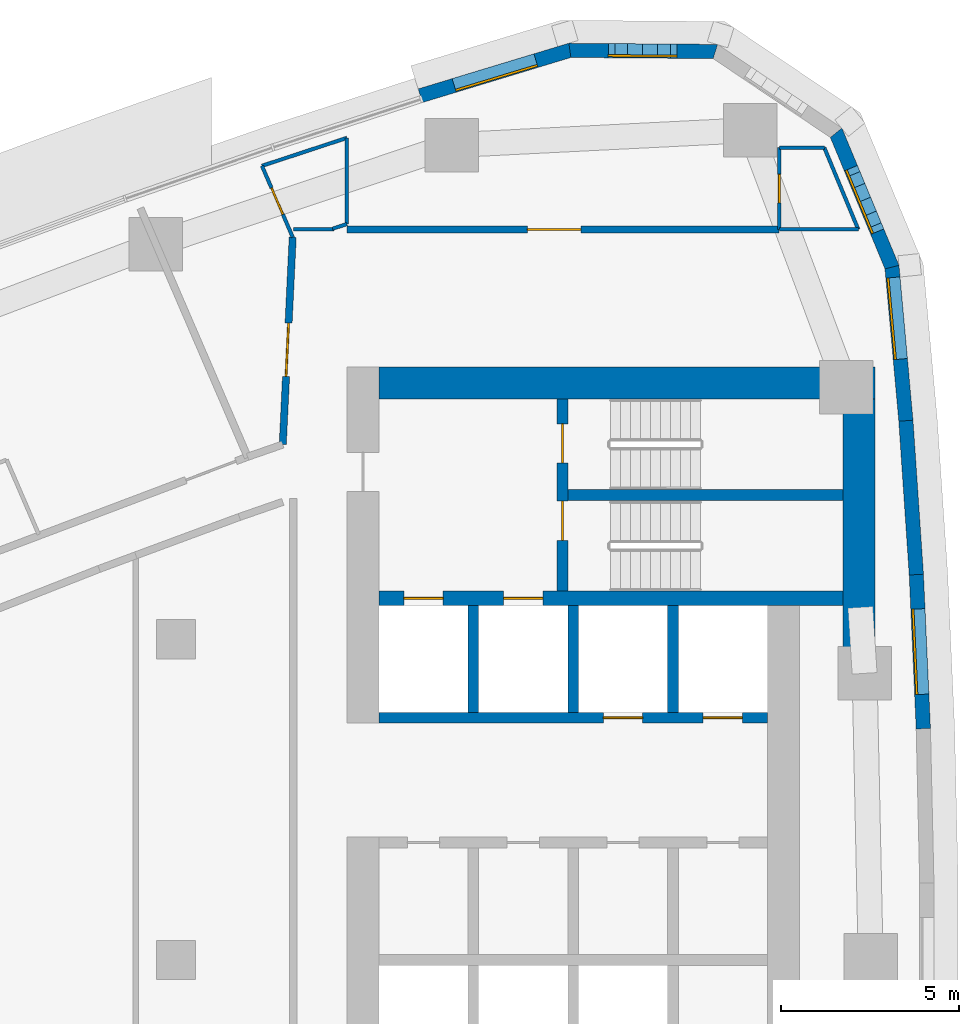
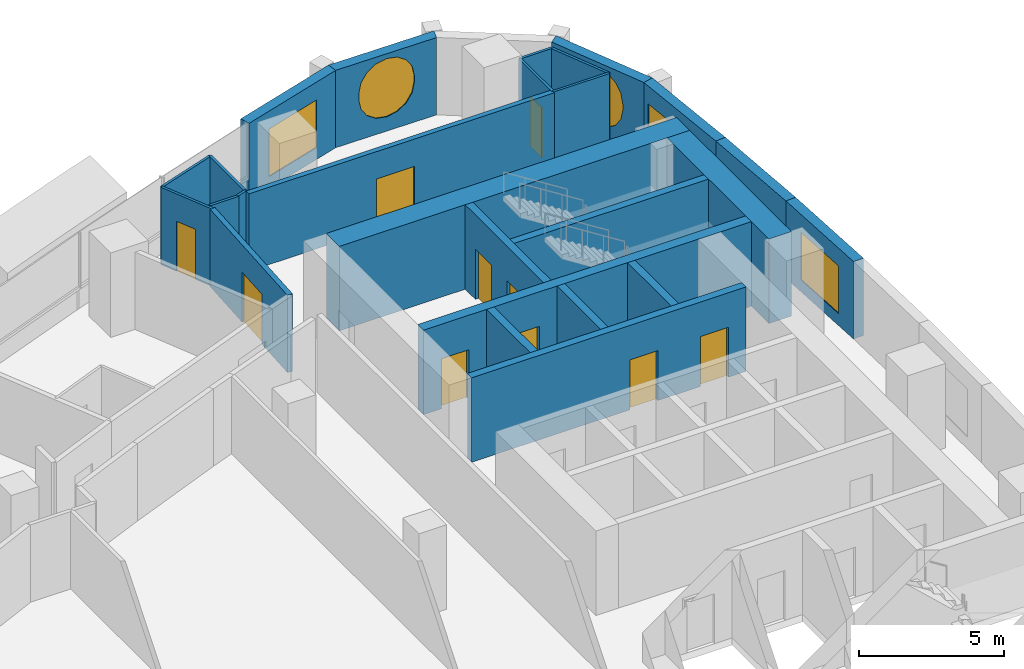
# One storey, part 12 of 17: 26 walls, 10 doors, 5 windows, 15 openings.
"""IFC4 building model written with IfcOpenShell, lengths in metres."""

from ifc_helpers import new_model, si_unit, direction, frame, frame_2d, origin, place, context, subcontext, project, spatial, polyline, rectangle, outline, extrude, material, layer, layer_set, type_object, element, fill, save


model = new_model("IFC4")

# Units and contexts
model_context = context("Model", 3, precision=1e-05, world=origin(), true_north=direction((0.0, 1.0)))
body_context = subcontext(model_context, "Body", "Model", "MODEL_VIEW")
ifc_project = project(units=[si_unit("LENGTHUNIT", "METRE"), si_unit("AREAUNIT", "SQUARE_METRE"), si_unit("VOLUMEUNIT", "CUBIC_METRE"), si_unit("PLANEANGLEUNIT", "RADIAN"), si_unit("MASSUNIT", "GRAM", prefix="KILO")], contexts=[model_context])

# Site, building, storey
site_placement = place(None, origin())
site = spatial("IfcSite", under=ifc_project, at=site_placement, CompositionType="ELEMENT")
building_placement = place(site_placement, origin())
building = spatial("IfcBuilding", under=site, at=building_placement, Name="Ostrand Prow Hotel Tower", CompositionType="ELEMENT")
storey_placement = place(building_placement, frame((0.0, 0.0, 155.050048828125)))
storey = spatial("IfcBuildingStorey", under=building, at=storey_placement, Name="L38", CompositionType="ELEMENT", Elevation=155.050048828125)

# Wall, openings, doors
ifc_material_1 = material(Name="Concrete C70/85", Category="concrete")
ifc_layer_1 = layer(ifc_material_1, 0.300048828125)
ifc_layer_set_1 = layer_set([ifc_layer_1], Name="Concrete C70/85")
wall_type_1 = type_object("IfcWallType", Name="Core wall 300 C70/85", PredefinedType="SHEAR", material=ifc_layer_set_1)
wall_1_placement = place(storey_placement, frame((50.699951171875, 6.800048828125, 0.0), z_axis=(0.0, 0.0, 1.0), x_axis=(1.0, 0.0, 0.0)))
wall_1 = element("IfcWall", 1, at=wall_1_placement, inside=storey, type_object=wall_type_1, Name="Core wall PW-L2-N", PredefinedType="SHEAR", context=body_context, shape_type="SweptSolid", body=[
    extrude(rectangle(XDim=10.900146484375, YDim=0.300048828125, at=frame_2d((5.4501953125, 0.0))), origin(), (0.0, 0.0, 1.0), 3.550048828125),
])
opening_1_placement = place(wall_1_placement, frame((6.300048828125, 0.0, 0.0)))
opening_1 = element("IfcOpeningElement", 2, at=opening_1_placement, cuts=wall_1, Name="Opening LD", PredefinedType="OPENING", context=body_context, shape_type="SweptSolid", body=[
    extrude(rectangle(XDim=1.10009765625, YDim=2.10009765625, at=frame_2d((0.550048828125, 1.050048828125))), frame((0.0, 0.159912109375, 0.0), z_axis=(0.0, -1.0, 0.0), x_axis=(1.0, 0.0, 0.0)), (0.0, 0.0, 1.0), 0.320068359375),
])
opening_2_placement = place(wall_1_placement, frame((9.10009765625, 0.0, 0.0)))
opening_2 = element("IfcOpeningElement", 3, at=opening_2_placement, cuts=wall_1, Name="Opening LD", PredefinedType="OPENING", context=body_context, shape_type="SweptSolid", body=[
    extrude(rectangle(XDim=1.10009765625, YDim=2.10009765625, at=frame_2d((0.550048828125, 1.050048828125))), frame((0.0, 0.159912109375, 0.0), z_axis=(0.0, -1.0, 0.0), x_axis=(1.0, 0.0, 0.0)), (0.0, 0.0, 1.0), 0.320068359375),
])
ifc_material_2 = material(Name="Stainless steel door", Category="steel")
door_type_1 = type_object("IfcDoorType", Name="Lift landing door 1100", OperationType="DOUBLE_DOOR_SLIDING", PredefinedType="DOOR", material=ifc_material_2)
door_1_placement = place(opening_1_placement, origin())
door_1 = element("IfcDoor", 4, at=door_1_placement, inside=storey, type_object=door_type_1, Name="LIFT LANDING DOOR", OperationType="DOUBLE_DOOR_SLIDING", OverallHeight=2.10009765625, OverallWidth=1.10009765625, PredefinedType="DOOR", context=body_context, shape_type="SweptSolid", body=[
    extrude(rectangle(XDim=1.10009765625, YDim=2.10009765625, at=frame_2d((0.550048828125, 1.050048828125))), frame((0.0, 0.02490234375, 0.0), z_axis=(0.0, -1.0, 0.0), x_axis=(1.0, 0.0, 0.0)), (0.0, 0.0, 1.0), 0.050048828125),
])
fill(opening_1, door_1)
door_2_placement = place(opening_2_placement, origin())
door_2 = element("IfcDoor", 5, at=door_2_placement, inside=storey, type_object=door_type_1, Name="LIFT LANDING DOOR", OperationType="DOUBLE_DOOR_SLIDING", OverallHeight=2.10009765625, OverallWidth=1.10009765625, PredefinedType="DOOR", context=body_context, shape_type="SweptSolid", body=[
    extrude(rectangle(XDim=1.10009765625, YDim=2.10009765625, at=frame_2d((0.550048828125, 1.050048828125))), frame((0.0, 0.02490234375, 0.0), z_axis=(0.0, -1.0, 0.0), x_axis=(1.0, 0.0, 0.0)), (0.0, 0.0, 1.0), 0.050048828125),
])
fill(opening_2, door_2)

# Walls
for number, where, z_axis, x_axis, name in (
    (6, (53.35009765625, 6.949951171875, 0.0), (0.0, 0.0, 1.0), (0.0, 1.0, 0.0), "Core wall PW-R1-NA"),
    (7, (56.14990234375, 6.949951171875, 0.0), (0.0, 0.0, 1.0), (0.0, 1.0, 0.0), "Core wall PW-R2-NA"),
    (8, (58.949951171875, 6.949951171875, 0.0), (0.0, 0.0, 1.0), (0.0, 1.0, 0.0), "Core wall PW-R3-NA"),
):
    element("IfcWall", number, at=place(storey_placement, frame(where, z_axis=z_axis, x_axis=x_axis)), inside=storey, type_object=wall_type_1, Name=name, PredefinedType="SHEAR", context=body_context, shape_type="SweptSolid", body=[
        extrude(rectangle(XDim=3.0, YDim=0.300048828125, at=frame_2d((1.5, 0.0))), origin(), (0.0, 0.0, 1.0), 3.550048828125),
    ])

# Wall, openings, doors
wall_2_placement = place(storey_placement, frame((55.85009765625, 10.35009765625, 0.0), z_axis=(0.0, 0.0, 1.0), x_axis=(0.0, 1.0, 0.0)))
wall_2 = element("IfcWall", 9, at=wall_2_placement, inside=storey, type_object=wall_type_1, Name="Core wall PW-VN", PredefinedType="SHEAR", context=body_context, shape_type="SweptSolid", body=[
    extrude(rectangle(XDim=5.39990234375, YDim=0.300048828125, at=frame_2d((2.699951171875, 0.0))), origin(), (0.0, 0.0, 1.0), 3.550048828125),
])
opening_3_placement = place(wall_2_placement, frame((1.429931640625, 0.0, 0.0)))
opening_3 = element("IfcOpeningElement", 10, at=opening_3_placement, cuts=wall_2, Name="Opening FD1", PredefinedType="OPENING", context=body_context, shape_type="SweptSolid", body=[
    extrude(rectangle(XDim=1.10009765625, YDim=2.10009765625, at=frame_2d((0.550048828125, 1.050048828125))), frame((0.0, 0.159912109375, 0.0), z_axis=(0.0, -1.0, 0.0), x_axis=(1.0, 0.0, 0.0)), (0.0, 0.0, 1.0), 0.320068359375),
])
opening_4_placement = place(wall_2_placement, frame((3.60009765625, 0.0, 0.0)))
opening_4 = element("IfcOpeningElement", 11, at=opening_4_placement, cuts=wall_2, Name="Opening FD1", PredefinedType="OPENING", context=body_context, shape_type="SweptSolid", body=[
    extrude(rectangle(XDim=1.10009765625, YDim=2.10009765625, at=frame_2d((0.550048828125, 1.050048828125))), frame((0.0, 0.159912109375, 0.0), z_axis=(0.0, -1.0, 0.0), x_axis=(1.0, 0.0, 0.0)), (0.0, 0.0, 1.0), 0.320068359375),
])
ifc_material_3 = material(Name="Steel fire door", Category="steel")
door_type_2 = type_object("IfcDoorType", Name="Fire door 1100 EI120", OperationType="SINGLE_SWING_RIGHT", PredefinedType="DOOR", material=ifc_material_3)
door_3_placement = place(opening_3_placement, origin())
door_3 = element("IfcDoor", 12, at=door_3_placement, inside=storey, type_object=door_type_2, Name="FIRE DOOR", OperationType="SINGLE_SWING_RIGHT", OverallHeight=2.10009765625, OverallWidth=1.10009765625, PredefinedType="DOOR", context=body_context, shape_type="SweptSolid", body=[
    extrude(rectangle(XDim=1.10009765625, YDim=2.10009765625, at=frame_2d((0.550048828125, 1.050048828125))), frame((0.0, 0.02490234375, 0.0), z_axis=(0.0, -1.0, 0.0), x_axis=(1.0, 0.0, 0.0)), (0.0, 0.0, 1.0), 0.050048828125),
])
fill(opening_3, door_3)
door_4_placement = place(opening_4_placement, origin())
door_4 = element("IfcDoor", 13, at=door_4_placement, inside=storey, type_object=door_type_2, Name="FIRE DOOR", OperationType="SINGLE_SWING_RIGHT", OverallHeight=2.10009765625, OverallWidth=1.10009765625, PredefinedType="DOOR", context=body_context, shape_type="SweptSolid", body=[
    extrude(rectangle(XDim=1.10009765625, YDim=2.10009765625, at=frame_2d((0.550048828125, 1.050048828125))), frame((0.0, 0.02490234375, 0.0), z_axis=(0.0, -1.0, 0.0), x_axis=(1.0, 0.0, 0.0)), (0.0, 0.0, 1.0), 0.050048828125),
])
fill(opening_4, door_4)

# Wall
wall_3_placement = place(storey_placement, frame((56.0, 13.050048828125, 0.0), z_axis=(0.0, 0.0, 1.0), x_axis=(1.0, 0.0, 0.0)))
element("IfcWall", 14, at=wall_3_placement, inside=storey, type_object=wall_type_1, Name="Core wall PW-ST13", PredefinedType="SHEAR", context=body_context, shape_type="SweptSolid", body=[
    extrude(rectangle(XDim=7.719970703125, YDim=0.300048828125, at=frame_2d((3.85986328125, 0.0))), origin(), (0.0, 0.0, 1.0), 3.550048828125),
])

# Wall, openings, doors
ifc_material_4 = material(Name="Concrete C70/85", Category="concrete")
ifc_layer_2 = layer(ifc_material_4, 0.39990234375)
ifc_layer_set_2 = layer_set([ifc_layer_2], Name="Concrete C70/85")
wall_type_2 = type_object("IfcWallType", Name="Core wall 400 C70/85", PredefinedType="SHEAR", material=ifc_layer_set_2)
wall_4_placement = place(storey_placement, frame((50.699951171875, 10.14990234375, 0.0), z_axis=(0.0, 0.0, 1.0), x_axis=(1.0, 0.0, 0.0)))
wall_4 = element("IfcWall", 15, at=wall_4_placement, inside=storey, type_object=wall_type_2, Name="Core wall PW-BN", PredefinedType="SHEAR", context=body_context, shape_type="SweptSolid", body=[
    extrude(rectangle(XDim=13.02001953125, YDim=0.39990234375, at=frame_2d((6.510009765625, 0.0))), origin(), (0.0, 0.0, 1.0), 3.550048828125),
])
opening_5_placement = place(wall_4_placement, frame((0.699951171875, 0.0, 0.0)))
opening_5 = element("IfcOpeningElement", 16, at=opening_5_placement, cuts=wall_4, Name="Opening LD", PredefinedType="OPENING", context=body_context, shape_type="SweptSolid", body=[
    extrude(rectangle(XDim=1.10009765625, YDim=2.10009765625, at=frame_2d((0.550048828125, 1.050048828125))), frame((0.0, 0.2099609375, 0.0), z_axis=(0.0, -1.0, 0.0), x_axis=(1.0, 0.0, 0.0)), (0.0, 0.0, 1.0), 0.419921875),
])
opening_6_placement = place(wall_4_placement, frame((3.5, 0.0, 0.0)))
opening_6 = element("IfcOpeningElement", 17, at=opening_6_placement, cuts=wall_4, Name="Opening LD", PredefinedType="OPENING", context=body_context, shape_type="SweptSolid", body=[
    extrude(rectangle(XDim=1.10009765625, YDim=2.10009765625, at=frame_2d((0.550048828125, 1.050048828125))), frame((0.0, 0.2099609375, 0.0), z_axis=(0.0, -1.0, 0.0), x_axis=(1.0, 0.0, 0.0)), (0.0, 0.0, 1.0), 0.419921875),
])
door_5_placement = place(opening_5_placement, origin())
door_5 = element("IfcDoor", 18, at=door_5_placement, inside=storey, type_object=door_type_1, Name="LIFT LANDING DOOR", OperationType="DOUBLE_DOOR_SLIDING", OverallHeight=2.10009765625, OverallWidth=1.10009765625, PredefinedType="DOOR", context=body_context, shape_type="SweptSolid", body=[
    extrude(rectangle(XDim=1.10009765625, YDim=2.10009765625, at=frame_2d((0.550048828125, 1.050048828125))), frame((0.0, 0.02490234375, 0.0), z_axis=(0.0, -1.0, 0.0), x_axis=(1.0, 0.0, 0.0)), (0.0, 0.0, 1.0), 0.050048828125),
])
fill(opening_5, door_5)
door_6_placement = place(opening_6_placement, origin())
door_6 = element("IfcDoor", 19, at=door_6_placement, inside=storey, type_object=door_type_1, Name="LIFT LANDING DOOR", OperationType="DOUBLE_DOOR_SLIDING", OverallHeight=2.10009765625, OverallWidth=1.10009765625, PredefinedType="DOOR", context=body_context, shape_type="SweptSolid", body=[
    extrude(rectangle(XDim=1.10009765625, YDim=2.10009765625, at=frame_2d((0.550048828125, 1.050048828125))), frame((0.0, 0.02490234375, 0.0), z_axis=(0.0, -1.0, 0.0), x_axis=(1.0, 0.0, 0.0)), (0.0, 0.0, 1.0), 0.050048828125),
])
fill(opening_6, door_6)

# Walls
ifc_material_5 = material(Name="Concrete C70/85", Category="concrete")
ifc_layer_3 = layer(ifc_material_5, 0.89990234375)
ifc_layer_set_3 = layer_set([ifc_layer_3], Name="Concrete C70/85")
wall_type_3 = type_object("IfcWallType", Name="Core wall 900 C70/85", PredefinedType="SHEAR", material=ifc_layer_set_3)
wall_5_placement = place(storey_placement, frame((50.699951171875, 16.199951171875, 0.0), z_axis=(0.0, 0.0, 1.0), x_axis=(1.0, 0.0, 0.0)))
element("IfcWall", 20, at=wall_5_placement, inside=storey, type_object=wall_type_3, Name="Core wall CW-N", PredefinedType="SHEAR", context=body_context, shape_type="SweptSolid", body=[
    extrude(rectangle(XDim=13.920166015625, YDim=0.89990234375, at=frame_2d((6.9599609375, 0.0))), origin(), (0.0, 0.0, 1.0), 3.550048828125),
])
wall_6_placement = place(storey_placement, frame((64.169921875, 8.74462890625, 0.0), z_axis=(0.0, 0.0, 1.0), x_axis=(0.0, 1.0, 0.0)))
element("IfcWall", 21, at=wall_6_placement, inside=storey, type_object=wall_type_3, Name="Core wall CW-E-N", PredefinedType="SHEAR", context=body_context, shape_type="SweptSolid", body=[
    extrude(rectangle(XDim=7.00537109375, YDim=0.89990234375, at=frame_2d((3.502685546875, 0.0))), origin(), (0.0, 0.0, 1.0), 3.550048828125),
])

# Wall, opening, door
ifc_material_6 = material(Name="Plasterboard partition")
ifc_layer_4 = layer(ifc_material_6, 0.10009765625)
ifc_layer_set_4 = layer_set([ifc_layer_4], Name="Plasterboard partition")
wall_type_4 = type_object("IfcWallType", Name="Partition 100 bathroom wall", PredefinedType="PARTITIONING", material=ifc_layer_set_4)
wall_7_placement = place(storey_placement, frame((61.9375, 20.5, 0.0), z_axis=(0.0, 0.0, 1.0), x_axis=(0.0, 1.0, 0.0)))
wall_7 = element("IfcWall", 22, at=wall_7_placement, inside=storey, type_object=wall_type_4, Name="BATHROOM WALL", PredefinedType="PARTITIONING", context=body_context, shape_type="SweptSolid", body=[
    extrude(rectangle(XDim=2.300048828125, YDim=0.10009765625, at=frame_2d((1.14990234375, 0.0))), origin(), (0.0, 0.0, 1.0), 3.25),
])
opening_7_placement = place(wall_7_placement, frame((0.75, 0.0, 0.0)))
opening_7 = element("IfcOpeningElement", 23, at=opening_7_placement, cuts=wall_7, Name="Opening D2", PredefinedType="OPENING", context=body_context, shape_type="SweptSolid", body=[
    extrude(rectangle(XDim=0.800048828125, YDim=2.10009765625, at=frame_2d((0.39990234375, 1.050048828125))), frame((0.0, 0.06005859375, 0.0), z_axis=(0.0, -1.0, 0.0), x_axis=(1.0, 0.0, 0.0)), (0.0, 0.0, 1.0), 0.1201171875),
])
ifc_material_7 = material(Name="Timber door leaf", Category="wood")
door_type_3 = type_object("IfcDoorType", Name="Bathroom door 800", OperationType="SINGLE_SWING_LEFT", PredefinedType="DOOR", material=ifc_material_7)
door_7_placement = place(opening_7_placement, origin())
door_7 = element("IfcDoor", 24, at=door_7_placement, inside=storey, type_object=door_type_3, Name="DOOR", OperationType="SINGLE_SWING_LEFT", OverallHeight=2.10009765625, OverallWidth=0.800048828125, PredefinedType="DOOR", context=body_context, shape_type="SweptSolid", body=[
    extrude(rectangle(XDim=0.800048828125, YDim=2.10009765625, at=frame_2d((0.39990234375, 1.050048828125))), frame((0.0, 0.02490234375, 0.0), z_axis=(0.0, -1.0, 0.0), x_axis=(1.0, 0.0, 0.0)), (0.0, 0.0, 1.0), 0.050048828125),
])
fill(opening_7, door_7)

# Wall
wall_8_placement = place(storey_placement, frame((61.9375, 22.800048828125, 0.0), z_axis=(0.0, 0.0, 1.0), x_axis=(1.0, 0.0, 0.0)))
element("IfcWall", 25, at=wall_8_placement, inside=storey, type_object=wall_type_4, Name="BATHROOM WALL", PredefinedType="PARTITIONING", context=body_context, shape_type="SweptSolid", body=[
    extrude(rectangle(XDim=1.2607421875, YDim=0.10009765625, at=frame_2d((0.63037109375, 0.0))), origin(), (0.0, 0.0, 1.0), 3.25),
])

# Wall, opening, door
wall_9_placement = place(storey_placement, frame((48.27880859375, 20.28857421875, 0.0), z_axis=(0.0, 0.0, 1.0), x_axis=(-0.396028123143, 0.918238381729, 0.0)))
wall_9 = element("IfcWall", 26, at=wall_9_placement, inside=storey, type_object=wall_type_4, Name="BATHROOM WALL", PredefinedType="PARTITIONING", context=body_context, shape_type="SweptSolid", body=[
    extrude(rectangle(XDim=2.1787109375, YDim=0.10009765625, at=frame_2d((1.08935546875, 0.0))), origin(), (0.0, 0.0, 1.0), 3.25),
])
opening_8_placement = place(wall_9_placement, frame((0.699951171875, 0.0, 0.0)))
opening_8 = element("IfcOpeningElement", 27, at=opening_8_placement, cuts=wall_9, Name="Opening D2", PredefinedType="OPENING", context=body_context, shape_type="SweptSolid", body=[
    extrude(rectangle(XDim=0.800048828125, YDim=2.10009765625, at=frame_2d((0.39990234375, 1.050048828125))), frame((0.0, 0.06005859375, 0.0), z_axis=(0.0, -1.0, 0.0), x_axis=(1.0, 0.0, 0.0)), (0.0, 0.0, 1.0), 0.1201171875),
])
door_8_placement = place(opening_8_placement, origin())
door_8 = element("IfcDoor", 28, at=door_8_placement, inside=storey, type_object=door_type_3, Name="DOOR", OperationType="SINGLE_SWING_LEFT", OverallHeight=2.10009765625, OverallWidth=0.800048828125, PredefinedType="DOOR", context=body_context, shape_type="SweptSolid", body=[
    extrude(rectangle(XDim=0.800048828125, YDim=2.10009765625, at=frame_2d((0.39990234375, 1.050048828125))), frame((0.0, 0.02490234375, 0.0), z_axis=(0.0, -1.0, 0.0), x_axis=(1.0, 0.0, 0.0)), (0.0, 0.0, 1.0), 0.050048828125),
])
fill(opening_8, door_8)

# Walls
wall_10_placement = place(storey_placement, frame((63.1982421875, 22.800048828125, 0.0), z_axis=(0.0, 0.0, 1.0), x_axis=(0.383855043906, -0.923393364319, 0.0)))
element("IfcWall", 29, at=wall_10_placement, inside=storey, type_object=wall_type_4, Name="BATHROOM WALL", PredefinedType="PARTITIONING", context=body_context, shape_type="SweptSolid", body=[
    extrude(rectangle(XDim=2.485595703125, YDim=0.10009765625, at=frame_2d((1.24267578125, 0.0))), origin(), (0.0, 0.0, 1.0), 3.25),
])
wall_11_placement = place(storey_placement, frame((64.15234375, 20.5048828125, 0.0), z_axis=(0.0, 0.0, 1.0), x_axis=(-1.0, 0.0, 0.0)))
element("IfcWall", 30, at=wall_11_placement, inside=storey, type_object=wall_type_4, Name="BATHROOM WALL", PredefinedType="PARTITIONING", context=body_context, shape_type="SweptSolid", body=[
    extrude(rectangle(XDim=2.21484375, YDim=0.10009765625, at=frame_2d((1.107421875, 0.0))), origin(), (0.0, 0.0, 1.0), 3.25),
])
wall_12_placement = place(storey_placement, frame((49.800048828125, 23.07421875, 0.0), z_axis=(0.0, 0.0, 1.0), x_axis=(0.0, -1.0, 0.0)))
element("IfcWall", 31, at=wall_12_placement, inside=storey, type_object=wall_type_4, Name="BATHROOM WALL", PredefinedType="PARTITIONING", context=body_context, shape_type="SweptSolid", body=[
    extrude(rectangle(XDim=2.41845703125, YDim=0.10009765625, at=frame_2d((1.209228515625, 0.0))), origin(), (0.0, 0.0, 1.0), 3.25),
])
wall_13_placement = place(storey_placement, frame((49.800048828125, 20.65576171875, 0.0), z_axis=(0.0, 0.0, 1.0), x_axis=(-0.950681805248, -0.310167866115, 0.0)))
element("IfcWall", 32, at=wall_13_placement, inside=storey, type_object=wall_type_4, Name="BATHROOM WALL", PredefinedType="PARTITIONING", context=body_context, shape_type="SweptSolid", body=[
    extrude(rectangle(XDim=0.423583984375, YDim=0.10009765625, at=frame_2d((0.2119140625, 0.0))), origin(), (0.0, 0.0, 1.0), 3.25),
])
wall_14_placement = place(storey_placement, frame((49.433837890625, 20.5048828125, 0.0), z_axis=(0.0, 0.0, 1.0), x_axis=(-1.0, 0.0, 0.0)))
element("IfcWall", 33, at=wall_14_placement, inside=storey, type_object=wall_type_4, Name="BATHROOM WALL", PredefinedType="PARTITIONING", context=body_context, shape_type="SweptSolid", body=[
    extrude(rectangle(XDim=1.13525390625, YDim=0.10009765625, at=frame_2d((0.567626953125, 0.0))), origin(), (0.0, 0.0, 1.0), 3.25),
])
wall_15_placement = place(storey_placement, frame((47.416015625, 22.289306640625, 0.0), z_axis=(0.0, 0.0, 1.0), x_axis=(0.949844078437, 0.312723882455, 0.0)))
element("IfcWall", 34, at=wall_15_placement, inside=storey, type_object=wall_type_4, Name="BATHROOM WALL", PredefinedType="PARTITIONING", context=body_context, shape_type="SweptSolid", body=[
    extrude(rectangle(XDim=2.510009765625, YDim=0.10009765625, at=frame_2d((1.2548828125, 0.0))), origin(), (0.0, 0.0, 1.0), 3.25),
])

# Wall, opening, door
ifc_material_8 = material(Name="Plasterboard partition")
ifc_layer_5 = layer(ifc_material_8, 0.199951171875)
ifc_layer_set_5 = layer_set([ifc_layer_5], Name="Plasterboard partition")
wall_type_5 = type_object("IfcWallType", Name="Partition 200 corridor wall", PredefinedType="PARTITIONING", material=ifc_layer_set_5)
wall_16_placement = place(storey_placement, frame((61.9326171875, 20.5048828125, 0.0), z_axis=(0.0, 0.0, 1.0), x_axis=(-1.0, 0.0, 0.0)))
wall_16 = element("IfcWall", 35, at=wall_16_placement, inside=storey, type_object=wall_type_5, Name="CORRIDOR WALL", PredefinedType="PARTITIONING", context=body_context, shape_type="SweptSolid", body=[
    extrude(rectangle(XDim=12.132568359375, YDim=0.199951171875, at=frame_2d((6.06640625, 0.0))), origin(), (0.0, 0.0, 1.0), 3.25),
])
opening_9_placement = place(wall_16_placement, frame((5.56640625, 0.0, 0.0)))
opening_9 = element("IfcOpeningElement", 36, at=opening_9_placement, cuts=wall_16, Name="Opening D15", PredefinedType="OPENING", context=body_context, shape_type="SweptSolid", body=[
    extrude(rectangle(XDim=1.5, YDim=2.10009765625, at=frame_2d((0.75, 1.050048828125))), frame((0.0, 0.10986328125, 0.0), z_axis=(0.0, -1.0, 0.0), x_axis=(1.0, 0.0, 0.0)), (0.0, 0.0, 1.0), 0.219970703125),
])
ifc_material_9 = material(Name="Timber door leaf", Category="wood")
door_type_4 = type_object("IfcDoorType", Name="Double door 1500", OperationType="DOUBLE_DOOR_SINGLE_SWING", PredefinedType="DOOR", material=ifc_material_9)
door_9_placement = place(opening_9_placement, origin())
door_9 = element("IfcDoor", 37, at=door_9_placement, inside=storey, type_object=door_type_4, Name="DOOR", OperationType="DOUBLE_DOOR_SINGLE_SWING", OverallHeight=2.10009765625, OverallWidth=1.5, PredefinedType="DOOR", context=body_context, shape_type="SweptSolid", body=[
    extrude(rectangle(XDim=1.5, YDim=2.10009765625, at=frame_2d((0.75, 1.050048828125))), frame((0.0, 0.02490234375, 0.0), z_axis=(0.0, -1.0, 0.0), x_axis=(1.0, 0.0, 0.0)), (0.0, 0.0, 1.0), 0.050048828125),
])
fill(opening_9, door_9)

wall_17_placement = place(storey_placement, frame((48.27880859375, 20.28857421875, 0.0), z_axis=(0.0, 0.0, 1.0), x_axis=(-0.047837808481, -0.998855116661, 0.0)))
wall_17 = element("IfcWall", 38, at=wall_17_placement, inside=storey, type_object=wall_type_5, Name="CORRIDOR WALL", PredefinedType="PARTITIONING", context=body_context, shape_type="SweptSolid", body=[
    extrude(rectangle(XDim=5.828125, YDim=0.199951171875, at=frame_2d((2.9140625, 0.0))), origin(), (0.0, 0.0, 1.0), 3.25),
])
opening_10_placement = place(wall_17_placement, frame((2.4140625, 0.0, 0.0)))
opening_10 = element("IfcOpeningElement", 39, at=opening_10_placement, cuts=wall_17, Name="Opening D15", PredefinedType="OPENING", context=body_context, shape_type="SweptSolid", body=[
    extrude(rectangle(XDim=1.5, YDim=2.10009765625, at=frame_2d((0.75, 1.050048828125))), frame((0.0, 0.10986328125, 0.0), z_axis=(0.0, -1.0, 0.0), x_axis=(1.0, 0.0, 0.0)), (0.0, 0.0, 1.0), 0.219970703125),
])
door_10_placement = place(opening_10_placement, origin())
door_10 = element("IfcDoor", 40, at=door_10_placement, inside=storey, type_object=door_type_4, Name="DOOR", OperationType="DOUBLE_DOOR_SINGLE_SWING", OverallHeight=2.10009765625, OverallWidth=1.5, PredefinedType="DOOR", context=body_context, shape_type="SweptSolid", body=[
    extrude(rectangle(XDim=1.5, YDim=2.10009765625, at=frame_2d((0.75, 1.050048828125))), frame((0.0, 0.02490234375, 0.0), z_axis=(0.0, -1.0, 0.0), x_axis=(1.0, 0.0, 0.0)), (0.0, 0.0, 1.0), 0.050048828125),
])
fill(opening_10, door_10)

# Wall, opening, window
ifc_material_10 = material(Name="Precast concrete C40/50", Category="concrete")
ifc_layer_6 = layer(ifc_material_10, 0.39990234375)
ifc_layer_set_6 = layer_set([ifc_layer_6], Name="Precast concrete C40/50")
wall_type_6 = type_object("IfcWallType", Name="Stone-faced precast wall 400 mm", PredefinedType="NOTDEFINED", material=ifc_layer_set_6)
wall_18_placement = place(storey_placement, frame((65.977783203125, 6.4921875, 0.0), z_axis=(0.0, 0.0, 1.0), x_axis=(-0.045228592312, 0.99897666361, 0.0)))
wall_18 = element("IfcWall", 41, at=wall_18_placement, inside=storey, type_object=wall_type_6, Name="Stone-faced wall back 11", PredefinedType="NOTDEFINED", context=body_context, shape_type="SweptSolid", body=[
    extrude(outline(polyline([(-0.002197265625, -0.199951171875), (4.331298828125, -0.199951171875), (4.326904296875, 0.199951171875), (0.002197265625, 0.199951171875), (-0.002197265625, -0.199951171875)])), origin(), (0.0, 0.0, 1.0), 3.25),
])
opening_11_placement = place(wall_18_placement, frame((0.964599609375, 0.0, 0.5)))
opening_11 = element("IfcOpeningElement", 42, at=opening_11_placement, cuts=wall_18, Name="Opening WA1", PredefinedType="OPENING", context=body_context, shape_type="SweptSolid", body=[
    extrude(rectangle(XDim=2.39990234375, YDim=2.0, at=frame_2d((1.199951171875, 1.0))), frame((0.0, 0.2099609375, 0.0), z_axis=(0.0, -1.0, 0.0), x_axis=(1.0, 0.0, 0.0)), (0.0, 0.0, 1.0), 0.419921875),
])
ifc_material_11 = material(Name="Insulated glass in bronze frame", Category="glass")
window_type_1 = type_object("IfcWindowType", Name="Amenity picture window 2400x2000", PartitioningType="SINGLE_PANEL", PredefinedType="WINDOW", material=ifc_material_11)
window_1_placement = place(opening_11_placement, origin())
window_1 = element("IfcWindow", 43, at=window_1_placement, inside=storey, type_object=window_type_1, Name="Window back 11.1", OverallHeight=2.0, OverallWidth=2.39990234375, PartitioningType="SINGLE_PANEL", PredefinedType="WINDOW", context=body_context, shape_type="SweptSolid", body=[
    extrude(rectangle(XDim=2.39990234375, YDim=2.0, at=frame_2d((1.199951171875, 1.0))), frame((0.0, 0.169921875, 0.0), z_axis=(0.0, -1.0, 0.0), x_axis=(1.0, 0.0, 0.0)), (0.0, 0.0, 1.0), 0.06005859375),
])
fill(opening_11, window_1)

# Wall
wall_19_placement = place(storey_placement, frame((65.781982421875, 10.81689453125, 0.0), z_axis=(0.0, 0.0, 1.0), x_axis=(-0.067731727279, 0.997703569764, 0.0)))
element("IfcWall", 44, at=wall_19_placement, inside=storey, type_object=wall_type_6, Name="Stone-faced wall back 12", PredefinedType="NOTDEFINED", context=body_context, shape_type="SweptSolid", body=[
    extrude(outline(polyline([(-0.002197265625, -0.199951171875), (4.331298828125, -0.199951171875), (4.326904296875, 0.199951171875), (0.002197265625, 0.199951171875), (-0.002197265625, -0.199951171875)])), origin(), (0.0, 0.0, 1.0), 3.25),
])

# Wall, opening, window
wall_20_placement = place(storey_placement, frame((65.48876953125, 15.135986328125, 0.0), z_axis=(0.0, 0.0, 1.0), x_axis=(-0.090296735989, 0.995914905737, 0.0)))
wall_20 = element("IfcWall", 45, at=wall_20_placement, inside=storey, type_object=wall_type_6, Name="Stone-faced wall back 13", PredefinedType="NOTDEFINED", context=body_context, shape_type="SweptSolid", body=[
    extrude(outline(polyline([(-0.002197265625, -0.199951171875), (4.359130859375, -0.199951171875), (4.298095703125, 0.199951171875), (0.002197265625, 0.199951171875), (-0.002197265625, -0.199951171875)])), origin(), (0.0, 0.0, 1.0), 3.25),
])
opening_12_placement = place(wall_20_placement, frame((1.73583984375, 0.0, 0.5)))
opening_12 = element("IfcOpeningElement", 46, at=opening_12_placement, cuts=wall_20, Name="Opening WA1-23", PredefinedType="OPENING", context=body_context, shape_type="SweptSolid", body=[
    extrude(rectangle(XDim=2.300048828125, YDim=2.0, at=frame_2d((1.14990234375, 1.0))), frame((0.0, 0.2099609375, 0.0), z_axis=(0.0, -1.0, 0.0), x_axis=(1.0, 0.0, 0.0)), (0.0, 0.0, 1.0), 0.419921875),
])
ifc_material_12 = material(Name="Insulated glass in bronze frame", Category="glass")
window_type_2 = type_object("IfcWindowType", Name="Amenity picture window 2300x2000", PartitioningType="SINGLE_PANEL", PredefinedType="WINDOW", material=ifc_material_12)
window_2_placement = place(opening_12_placement, origin())
window_2 = element("IfcWindow", 47, at=window_2_placement, inside=storey, type_object=window_type_2, Name="Window back 13.1", OverallHeight=2.0, OverallWidth=2.300048828125, PartitioningType="SINGLE_PANEL", PredefinedType="WINDOW", context=body_context, shape_type="SweptSolid", body=[
    extrude(rectangle(XDim=2.300048828125, YDim=2.0, at=frame_2d((1.14990234375, 1.0))), frame((0.0, 0.169921875, 0.0), z_axis=(0.0, -1.0, 0.0), x_axis=(1.0, 0.0, 0.0)), (0.0, 0.0, 1.0), 0.06005859375),
])
fill(opening_12, window_2)

wall_21_placement = place(storey_placement, frame((65.097900390625, 19.447021484375, 0.0), z_axis=(0.0, 0.0, 1.0), x_axis=(-0.383817293519, 0.923409056267, 0.0)))
wall_21 = element("IfcWall", 48, at=wall_21_placement, inside=storey, type_object=wall_type_6, Name="Stone-faced wall back 14", PredefinedType="NOTDEFINED", context=body_context, shape_type="SweptSolid", body=[
    extrude(outline(polyline([(-0.030517578125, -0.199951171875), (4.14453125, -0.199951171875), (4.02392578125, 0.199951171875), (0.030517578125, 0.199951171875), (-0.030517578125, -0.199951171875)])), origin(), (0.0, 0.0, 1.0), 3.25),
])
opening_13_placement = place(wall_21_placement, frame((0.94189453125, 0.0, 0.60009765625)))
opening_13 = element("IfcOpeningElement", 49, at=opening_13_placement, cuts=wall_21, Name="Opening WP2", PredefinedType="OPENING", context=body_context, shape_type="SweptSolid", body=[
    extrude(outline(polyline([(0.0, 1.35009765625), (0.083740234375, 1.77099609375), (0.322265625, 2.127685546875), (0.678955078125, 2.3662109375), (1.10009765625, 2.449951171875), (1.52099609375, 2.3662109375), (1.877685546875, 2.127685546875), (2.1162109375, 1.77099609375), (2.199951171875, 1.35009765625), (2.199951171875, 1.10009765625), (2.1162109375, 0.678955078125), (1.877685546875, 0.322265625), (1.52099609375, 0.083740234375), (1.10009765625, 0.0), (0.678955078125, 0.083740234375), (0.322265625, 0.322265625), (0.083740234375, 0.678955078125), (0.0, 1.099853515625), (0.0, 1.35009765625)])), frame((0.0, 0.2099609375, 0.0), z_axis=(0.0, -1.0, 0.0), x_axis=(1.0, 0.0, 0.0)), (0.0, 0.0, 1.0), 0.419921875),
])
ifc_material_13 = material(Name="Insulated glass in bronze frame", Category="glass")
window_type_3 = type_object("IfcWindowType", Name="Round-ended prow lounge window 2200x2450", PartitioningType="SINGLE_PANEL", PredefinedType="WINDOW", material=ifc_material_13)
window_3_placement = place(opening_13_placement, origin())
window_3 = element("IfcWindow", 50, at=window_3_placement, inside=storey, type_object=window_type_3, Name="Window back 14.1", OverallHeight=2.449951171875, OverallWidth=2.199951171875, PartitioningType="SINGLE_PANEL", PredefinedType="WINDOW", context=body_context, shape_type="SweptSolid", body=[
    extrude(outline(polyline([(0.0, 1.35009765625), (0.083740234375, 1.77099609375), (0.322265625, 2.127685546875), (0.678955078125, 2.3662109375), (1.10009765625, 2.449951171875), (1.52099609375, 2.3662109375), (1.877685546875, 2.127685546875), (2.1162109375, 1.77099609375), (2.199951171875, 1.35009765625), (2.199951171875, 1.10009765625), (2.1162109375, 0.678955078125), (1.877685546875, 0.322265625), (1.52099609375, 0.083740234375), (1.10009765625, 0.0), (0.678955078125, 0.083740234375), (0.322265625, 0.322265625), (0.083740234375, 0.678955078125), (0.0, 1.099853515625), (0.0, 1.35009765625)])), frame((0.0, 0.169921875, 0.0), z_axis=(0.0, -1.0, 0.0), x_axis=(1.0, 0.0, 0.0)), (0.0, 0.0, 1.0), 0.06005859375),
])
fill(opening_13, window_3)

wall_22_placement = place(storey_placement, frame((60.14208984375, 25.49853515625, 0.0), z_axis=(0.0, 0.0, 1.0), x_axis=(-0.99996933771, 0.007830941131, 0.0)))
wall_22 = element("IfcWall", 51, at=wall_22_placement, inside=storey, type_object=wall_type_6, Name="Stone-faced wall back 16", PredefinedType="NOTDEFINED", context=body_context, shape_type="SweptSolid", body=[
    extrude(outline(polyline([(-0.060302734375, -0.199951171875), (4.11474609375, -0.199951171875), (4.0537109375, 0.199951171875), (0.060302734375, 0.199951171875), (-0.060302734375, -0.199951171875)])), origin(), (0.0, 0.0, 1.0), 3.25),
])
opening_14_placement = place(wall_22_placement, frame((0.94189453125, 0.0, 0.60009765625)))
opening_14 = element("IfcOpeningElement", 52, at=opening_14_placement, cuts=wall_22, Name="Opening WP2", PredefinedType="OPENING", context=body_context, shape_type="SweptSolid", body=[
    extrude(outline(polyline([(0.0, 1.35009765625), (0.083740234375, 1.77099609375), (0.322265625, 2.127685546875), (0.678955078125, 2.3662109375), (1.10009765625, 2.449951171875), (1.52099609375, 2.3662109375), (1.877685546875, 2.127685546875), (2.1162109375, 1.77099609375), (2.199951171875, 1.35009765625), (2.199951171875, 1.10009765625), (2.1162109375, 0.678955078125), (1.877685546875, 0.322265625), (1.52099609375, 0.083740234375), (1.10009765625, 0.0), (0.678955078125, 0.083740234375), (0.322265625, 0.322265625), (0.083740234375, 0.678955078125), (0.0, 1.099853515625), (0.0, 1.35009765625)])), frame((0.0, 0.2099609375, 0.0), z_axis=(0.0, -1.0, 0.0), x_axis=(1.0, 0.0, 0.0)), (0.0, 0.0, 1.0), 0.419921875),
])
window_4_placement = place(opening_14_placement, origin())
window_4 = element("IfcWindow", 53, at=window_4_placement, inside=storey, type_object=window_type_3, Name="Window back 16.1", OverallHeight=2.449951171875, OverallWidth=2.199951171875, PartitioningType="SINGLE_PANEL", PredefinedType="WINDOW", context=body_context, shape_type="SweptSolid", body=[
    extrude(outline(polyline([(0.0, 1.35009765625), (0.083740234375, 1.77099609375), (0.322265625, 2.127685546875), (0.678955078125, 2.3662109375), (1.10009765625, 2.449951171875), (1.52099609375, 2.3662109375), (1.877685546875, 2.127685546875), (2.1162109375, 1.77099609375), (2.199951171875, 1.35009765625), (2.199951171875, 1.10009765625), (2.1162109375, 0.678955078125), (1.877685546875, 0.322265625), (1.52099609375, 0.083740234375), (1.10009765625, 0.0), (0.678955078125, 0.083740234375), (0.322265625, 0.322265625), (0.083740234375, 0.678955078125), (0.0, 1.099853515625), (0.0, 1.35009765625)])), frame((0.0, 0.169921875, 0.0), z_axis=(0.0, -1.0, 0.0), x_axis=(1.0, 0.0, 0.0)), (0.0, 0.0, 1.0), 0.06005859375),
])
fill(opening_14, window_4)

wall_23_placement = place(storey_placement, frame((56.05810546875, 25.530517578125, 0.0), z_axis=(0.0, 0.0, 1.0), x_axis=(-0.956964488344, -0.290205044837, 0.0)))
wall_23 = element("IfcWall", 54, at=wall_23_placement, inside=storey, type_object=wall_type_6, Name="Stone-faced wall back 17", PredefinedType="NOTDEFINED", context=body_context, shape_type="SweptSolid", body=[
    extrude(outline(polyline([(-0.030517578125, -0.199951171875), (4.387939453125, -0.199951171875), (4.387939453125, 0.199951171875), (0.030517578125, 0.199951171875), (-0.030517578125, -0.199951171875)])), origin(), (0.0, 0.0, 1.0), 3.25),
])
opening_15_placement = place(wall_23_placement, frame((0.993896484375, 0.0, 0.5)))
opening_15 = element("IfcOpeningElement", 55, at=opening_15_placement, cuts=wall_23, Name="Opening WA1", PredefinedType="OPENING", context=body_context, shape_type="SweptSolid", body=[
    extrude(rectangle(XDim=2.39990234375, YDim=2.0, at=frame_2d((1.199951171875, 1.0))), frame((0.0, 0.2099609375, 0.0), z_axis=(0.0, -1.0, 0.0), x_axis=(1.0, 0.0, 0.0)), (0.0, 0.0, 1.0), 0.419921875),
])
window_5_placement = place(opening_15_placement, origin())
window_5 = element("IfcWindow", 56, at=window_5_placement, inside=storey, type_object=window_type_1, Name="Window back 17.1", OverallHeight=2.0, OverallWidth=2.39990234375, PartitioningType="SINGLE_PANEL", PredefinedType="WINDOW", context=body_context, shape_type="SweptSolid", body=[
    extrude(rectangle(XDim=2.39990234375, YDim=2.0, at=frame_2d((1.199951171875, 1.0))), frame((0.0, 0.169921875, 0.0), z_axis=(0.0, -1.0, 0.0), x_axis=(1.0, 0.0, 0.0)), (0.0, 0.0, 1.0), 0.06005859375),
])
fill(opening_15, window_5)

save(model, "model.ifc")
